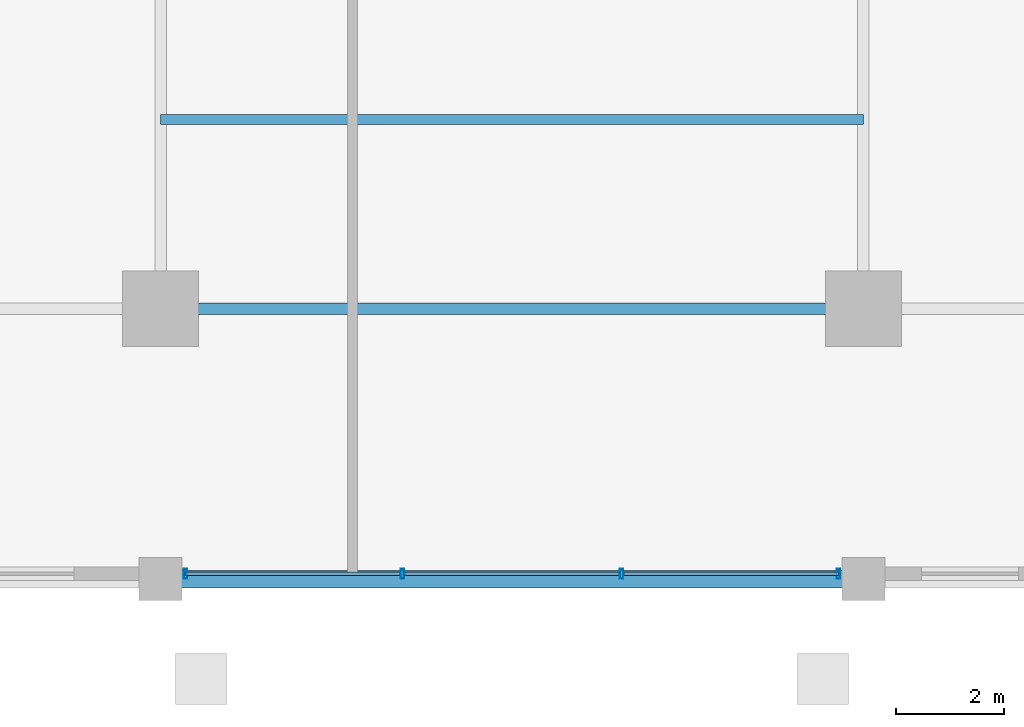
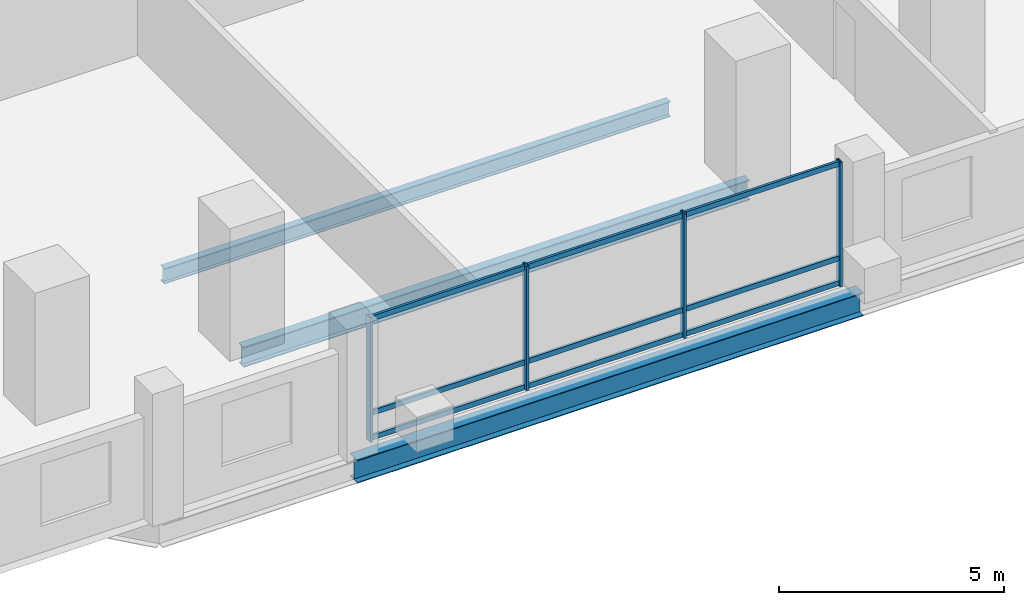
# One storey, part 2 of 21: 13 members, 3 beams, 1 element without a shape of its own.
"""IFC4 building model written with IfcOpenShell, lengths in metres."""

from ifc_helpers import new_model, si_unit, direction, frame, origin, origin_2d, place, context, subcontext, project, spatial, hollow_rectangle, i_section, extrude, material, layer, layer_set, material_profile, profile_set, type_object, element, aggregate, save


model = new_model("IFC4")

# Units and contexts
model_context = context("Model", 3, precision=1e-05, world=origin(), true_north=direction((0.0, 1.0)))
body_context = subcontext(model_context, "Body", "Model", "MODEL_VIEW")
ifc_project = project(units=[si_unit("LENGTHUNIT", "METRE"), si_unit("AREAUNIT", "SQUARE_METRE"), si_unit("VOLUMEUNIT", "CUBIC_METRE"), si_unit("PLANEANGLEUNIT", "RADIAN"), si_unit("MASSUNIT", "GRAM", prefix="KILO")], contexts=[model_context])

# Site, building, storey
site_placement = place(None, origin())
site = spatial("IfcSite", under=ifc_project, at=site_placement, CompositionType="ELEMENT")
building_placement = place(site_placement, origin())
building = spatial("IfcBuilding", under=site, at=building_placement, Name="Barlavira Tower and Art Museum", CompositionType="ELEMENT")
storey_placement = place(building_placement, frame((0.0, 0.0, 86.39990234375)))
storey = spatial("IfcBuildingStorey", under=building, at=storey_placement, Name="L21", CompositionType="ELEMENT", Elevation=86.39990234375)

# Curtain wall, members
ifc_material_1 = material(Name="Low-iron coastal laminated glass", Category="glass")
ifc_layer = layer(ifc_material_1, 0.179931640625, Name="Low-iron coastal laminated glass")
ifc_layer_set = layer_set([ifc_layer], Name="Low-iron coastal laminated glass")
curtain_wall_type = type_object("IfcCurtainWallType", Name="Pale-Metal Unitised Curtain Wall Zone 1", PredefinedType="NOTDEFINED", material=ifc_layer_set)
curtain_wall_placement = place(storey_placement, origin())
curtain_wall = element("IfcCurtainWall", 1, at=curtain_wall_placement, inside=storey, type_object=curtain_wall_type, Name="L21 Curtain Wall CW1-L21-S-B3", PredefinedType="NOTDEFINED")
ifc_material_2 = material(Name="Pale anodised aluminium", Category="aluminium")
ifc_material_profile_1 = material_profile(ifc_material_2, hollow_rectangle(XDim=0.06494140625, YDim=0.179931640625, WallThickness=0.00390625, at=origin_2d()), Name="ALU-MULL 65x180x4")
ifc_profile_set_1 = profile_set([ifc_material_profile_1], Name="Pale anodised aluminium")
member_type_1 = type_object("IfcMemberType", Name="Curtain Wall Pale-Metal Mullion 65x180", PredefinedType="MULLION", material=ifc_profile_set_1)
member_1_placement = place(storey_placement, frame((-6.034912109375, -24.89990234375, 0.0), z_axis=(0.0, 0.0, 1.0), x_axis=(1.0, 0.0, 0.0)))
member_1 = element("IfcMember", 2, at=member_1_placement, type_object=member_type_1, Name="CW1-L21-S-B3 Mullion 0", PredefinedType="MULLION", context=body_context, shape_type="SweptSolid", body=[
    extrude(hollow_rectangle(XDim=0.06494140625, YDim=0.179931640625, WallThickness=0.00390625, at=origin_2d()), origin(), (0.0, 0.0, 1.0), 3.380126953125),
])
member_2_placement = place(storey_placement, frame((-2.026611328125, -24.89990234375, 0.0), z_axis=(0.0, 0.0, 1.0), x_axis=(1.0, 0.0, 0.0)))
member_2 = element("IfcMember", 3, at=member_2_placement, type_object=member_type_1, Name="CW1-L21-S-B3 Mullion 1", PredefinedType="MULLION", context=body_context, shape_type="SweptSolid", body=[
    extrude(hollow_rectangle(XDim=0.06494140625, YDim=0.179931640625, WallThickness=0.00390625, at=origin_2d()), origin(), (0.0, 0.0, 1.0), 3.380126953125),
])
member_3_placement = place(storey_placement, frame((2.026611328125, -24.89990234375, 0.0), z_axis=(0.0, 0.0, 1.0), x_axis=(1.0, 0.0, 0.0)))
member_3 = element("IfcMember", 4, at=member_3_placement, type_object=member_type_1, Name="CW1-L21-S-B3 Mullion 2", PredefinedType="MULLION", context=body_context, shape_type="SweptSolid", body=[
    extrude(hollow_rectangle(XDim=0.06494140625, YDim=0.179931640625, WallThickness=0.00390625, at=origin_2d()), origin(), (0.0, 0.0, 1.0), 3.380126953125),
])
member_4_placement = place(storey_placement, frame((6.034912109375, -24.89990234375, 0.0), z_axis=(0.0, 0.0, 1.0), x_axis=(1.0, 0.0, 0.0)))
member_4 = element("IfcMember", 5, at=member_4_placement, type_object=member_type_1, Name="CW1-L21-S-B3 Mullion 3", PredefinedType="MULLION", context=body_context, shape_type="SweptSolid", body=[
    extrude(hollow_rectangle(XDim=0.06494140625, YDim=0.179931640625, WallThickness=0.00390625, at=origin_2d()), origin(), (0.0, 0.0, 1.0), 3.380126953125),
])
ifc_material_profile_2 = material_profile(ifc_material_2, hollow_rectangle(XDim=0.06494140625, YDim=0.139892578125, WallThickness=0.00390625, at=origin_2d()), Name="ALU-TRAN 65x140x4")
ifc_profile_set_2 = profile_set([ifc_material_profile_2], Name="Pale anodised aluminium")
member_type_2 = type_object("IfcMemberType", Name="Curtain Wall Pale-Metal Transom 65x140", PredefinedType="USERDEFINED", material=ifc_profile_set_2)
member_5_placement = place(storey_placement, frame((-6.034912109375, -24.89990234375, 0.070068359375), z_axis=(1.0, 0.0, 0.0), x_axis=(0.0, 1.0, 0.0)))
member_5 = element("IfcMember", 6, at=member_5_placement, type_object=member_type_2, Name="CW1-L21-S-B3 Transom 0.1", ObjectType="TRANSOM", PredefinedType="USERDEFINED", context=body_context, shape_type="SweptSolid", body=[
    extrude(hollow_rectangle(XDim=0.06494140625, YDim=0.139892578125, WallThickness=0.00390625, at=origin_2d()), origin(), (0.0, 0.0, 1.0), 3.963134765625),
])
member_6_placement = place(storey_placement, frame((-6.034912109375, -24.89990234375, 0.744140625), z_axis=(1.0, 0.0, 0.0), x_axis=(0.0, 1.0, 0.0)))
member_6 = element("IfcMember", 7, at=member_6_placement, type_object=member_type_2, Name="CW1-L21-S-B3 Transom 0.2", ObjectType="TRANSOM", PredefinedType="USERDEFINED", context=body_context, shape_type="SweptSolid", body=[
    extrude(hollow_rectangle(XDim=0.06494140625, YDim=0.139892578125, WallThickness=0.00390625, at=origin_2d()), origin(), (0.0, 0.0, 1.0), 3.963134765625),
])
member_7_placement = place(storey_placement, frame((-6.034912109375, -24.89990234375, 3.31005859375), z_axis=(1.0, 0.0, 0.0), x_axis=(0.0, 1.0, 0.0)))
member_7 = element("IfcMember", 8, at=member_7_placement, type_object=member_type_2, Name="CW1-L21-S-B3 Transom 0.3", ObjectType="TRANSOM", PredefinedType="USERDEFINED", context=body_context, shape_type="SweptSolid", body=[
    extrude(hollow_rectangle(XDim=0.06494140625, YDim=0.139892578125, WallThickness=0.00390625, at=origin_2d()), origin(), (0.0, 0.0, 1.0), 3.963134765625),
])
member_8_placement = place(storey_placement, frame((-1.981689453125, -24.89990234375, 0.070068359375), z_axis=(1.0, 0.0, 0.0), x_axis=(0.0, 1.0, 0.0)))
member_8 = element("IfcMember", 9, at=member_8_placement, type_object=member_type_2, Name="CW1-L21-S-B3 Transom 1.1", ObjectType="TRANSOM", PredefinedType="USERDEFINED", context=body_context, shape_type="SweptSolid", body=[
    extrude(hollow_rectangle(XDim=0.06494140625, YDim=0.139892578125, WallThickness=0.00390625, at=origin_2d()), origin(), (0.0, 0.0, 1.0), 3.96337890625),
])
member_9_placement = place(storey_placement, frame((-1.981689453125, -24.89990234375, 0.744140625), z_axis=(1.0, 0.0, 0.0), x_axis=(0.0, 1.0, 0.0)))
member_9 = element("IfcMember", 10, at=member_9_placement, type_object=member_type_2, Name="CW1-L21-S-B3 Transom 1.2", ObjectType="TRANSOM", PredefinedType="USERDEFINED", context=body_context, shape_type="SweptSolid", body=[
    extrude(hollow_rectangle(XDim=0.06494140625, YDim=0.139892578125, WallThickness=0.00390625, at=origin_2d()), origin(), (0.0, 0.0, 1.0), 3.96337890625),
])
member_10_placement = place(storey_placement, frame((-1.981689453125, -24.89990234375, 3.31005859375), z_axis=(1.0, 0.0, 0.0), x_axis=(0.0, 1.0, 0.0)))
member_10 = element("IfcMember", 11, at=member_10_placement, type_object=member_type_2, Name="CW1-L21-S-B3 Transom 1.3", ObjectType="TRANSOM", PredefinedType="USERDEFINED", context=body_context, shape_type="SweptSolid", body=[
    extrude(hollow_rectangle(XDim=0.06494140625, YDim=0.139892578125, WallThickness=0.00390625, at=origin_2d()), origin(), (0.0, 0.0, 1.0), 3.96337890625),
])
member_11_placement = place(storey_placement, frame((2.07177734375, -24.89990234375, 0.070068359375), z_axis=(1.0, 0.0, 0.0), x_axis=(0.0, 1.0, 0.0)))
member_11 = element("IfcMember", 12, at=member_11_placement, type_object=member_type_2, Name="CW1-L21-S-B3 Transom 2.1", ObjectType="TRANSOM", PredefinedType="USERDEFINED", context=body_context, shape_type="SweptSolid", body=[
    extrude(hollow_rectangle(XDim=0.06494140625, YDim=0.139892578125, WallThickness=0.00390625, at=origin_2d()), origin(), (0.0, 0.0, 1.0), 3.963134765625),
])
member_12_placement = place(storey_placement, frame((2.07177734375, -24.89990234375, 0.744140625), z_axis=(1.0, 0.0, 0.0), x_axis=(0.0, 1.0, 0.0)))
member_12 = element("IfcMember", 13, at=member_12_placement, type_object=member_type_2, Name="CW1-L21-S-B3 Transom 2.2", ObjectType="TRANSOM", PredefinedType="USERDEFINED", context=body_context, shape_type="SweptSolid", body=[
    extrude(hollow_rectangle(XDim=0.06494140625, YDim=0.139892578125, WallThickness=0.00390625, at=origin_2d()), origin(), (0.0, 0.0, 1.0), 3.963134765625),
])
member_13_placement = place(storey_placement, frame((2.07177734375, -24.89990234375, 3.31005859375), z_axis=(1.0, 0.0, 0.0), x_axis=(0.0, 1.0, 0.0)))
member_13 = element("IfcMember", 14, at=member_13_placement, type_object=member_type_2, Name="CW1-L21-S-B3 Transom 2.3", ObjectType="TRANSOM", PredefinedType="USERDEFINED", context=body_context, shape_type="SweptSolid", body=[
    extrude(hollow_rectangle(XDim=0.06494140625, YDim=0.139892578125, WallThickness=0.00390625, at=origin_2d()), origin(), (0.0, 0.0, 1.0), 3.963134765625),
])
aggregate(curtain_wall, [member_1, member_2, member_3, member_4, member_5, member_6, member_7, member_8, member_9, member_10, member_11, member_12, member_13])

# Beams
ifc_material_3 = material(Name="Steel S355", Category="steel")
ifc_material_profile_3 = material_profile(ifc_material_3, i_section(OverallWidth=0.327880859375, OverallDepth=0.62890625, WebThickness=0.013916015625, FlangeThickness=0.021484375, at=origin_2d()), Name="W610x174.0")
ifc_profile_set_3 = profile_set([ifc_material_profile_3], Name="Steel S355")
beam_type_1 = type_object("IfcBeamType", Name="Perimeter Spandrel Edge Beam W610x174 Steel S355", PredefinedType="SPANDREL", material=ifc_profile_set_3)
beam_1_placement = place(storey_placement, frame((-6.5, -25.0, -0.534423828125), z_axis=(1.0, 0.0, 0.0), x_axis=(0.0, 1.0, 0.0)))
element("IfcBeam", 15, at=beam_1_placement, inside=storey, type_object=beam_type_1, Name="L21 Spandrel 2", PredefinedType="SPANDREL", context=body_context, shape_type="SweptSolid", body=[
    extrude(i_section(OverallWidth=0.327880859375, OverallDepth=0.62890625, WebThickness=0.013916015625, FlangeThickness=0.021484375, at=origin_2d()), origin(), (0.0, 0.0, 1.0), 13.0),
])
ifc_material_profile_4 = material_profile(ifc_material_3, i_section(OverallWidth=0.180908203125, OverallDepth=0.4169921875, WebThickness=0.010986328125, FlangeThickness=0.018310546875, at=origin_2d()), Name="W410x85.0")
ifc_profile_set_4 = profile_set([ifc_material_profile_4], Name="Steel S355")
beam_type_2 = type_object("IfcBeamType", Name="Zone 1 Composite Floor Joist W410x85 Steel S355", PredefinedType="JOIST", material=ifc_profile_set_4)
beam_2_placement = place(storey_placement, frame((-6.5, -16.5, -0.428466796875), z_axis=(1.0, 0.0, 0.0), x_axis=(0.0, 1.0, 0.0)))
element("IfcBeam", 16, at=beam_2_placement, inside=storey, type_object=beam_type_2, Name="L21 Joist C1", PredefinedType="JOIST", context=body_context, shape_type="SweptSolid", body=[
    extrude(i_section(OverallWidth=0.180908203125, OverallDepth=0.4169921875, WebThickness=0.010986328125, FlangeThickness=0.018310546875, at=origin_2d()), origin(), (0.0, 0.0, 1.0), 13.0),
])
ifc_material_profile_5 = material_profile(ifc_material_3, i_section(OverallWidth=0.214111328125, OverallDepth=0.549072265625, WebThickness=0.0146484375, FlangeThickness=0.023681640625, at=origin_2d()), Name="W530x138.0")
ifc_profile_set_5 = profile_set([ifc_material_profile_5], Name="Steel S355")
beam_type_3 = type_object("IfcBeamType", Name="Zone 1 Primary Floor Girder W530x138 Steel S355", PredefinedType="BEAM", material=ifc_profile_set_5)
beam_3_placement = place(storey_placement, frame((-6.5, -20.0, -0.494384765625), z_axis=(1.0, 0.0, 0.0), x_axis=(0.0, 1.0, 0.0)))
element("IfcBeam", 17, at=beam_3_placement, inside=storey, type_object=beam_type_3, Name="L21 Girder M-S2", PredefinedType="BEAM", context=body_context, shape_type="SweptSolid", body=[
    extrude(i_section(OverallWidth=0.214111328125, OverallDepth=0.549072265625, WebThickness=0.0146484375, FlangeThickness=0.023681640625, at=origin_2d()), origin(), (0.0, 0.0, 1.0), 13.0),
])

save(model, "model.ifc")
